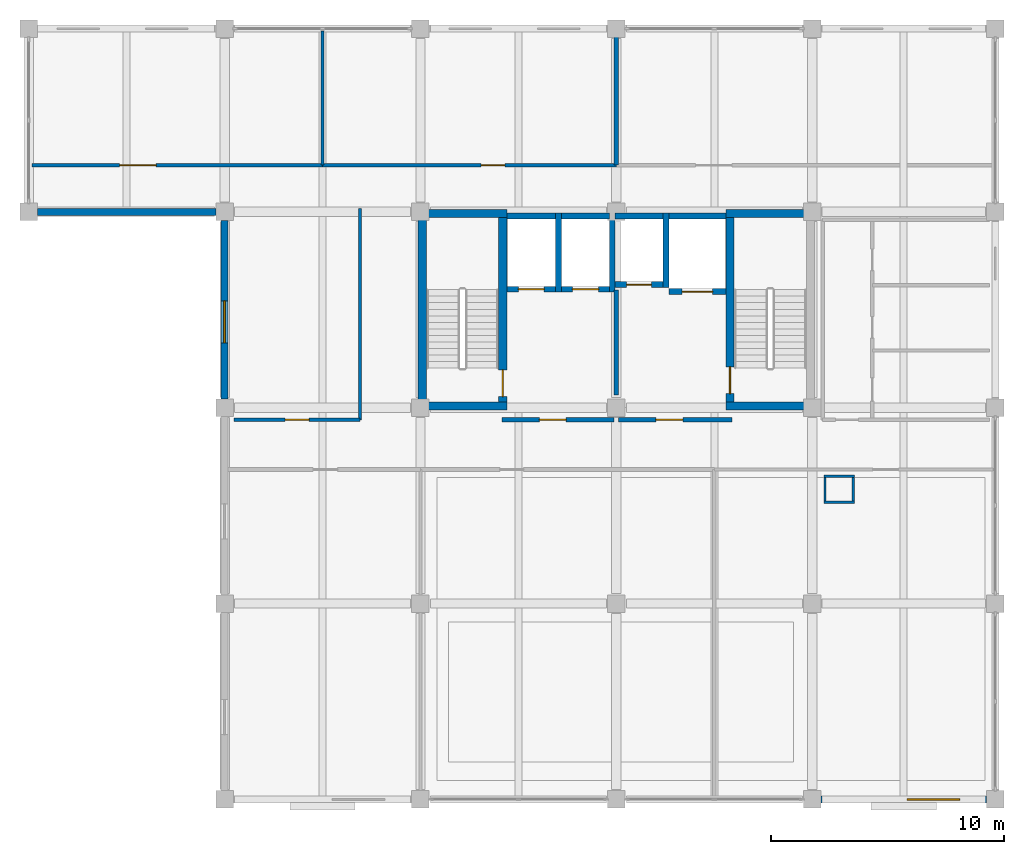
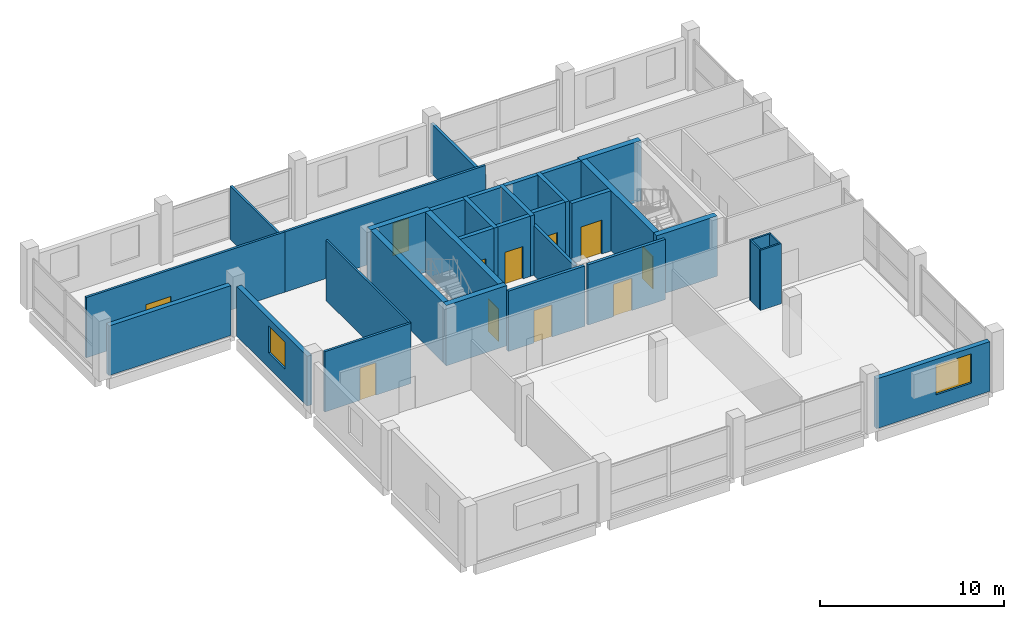
# One storey, part 7 of 9: 34 walls, 11 doors, 2 windows, 13 openings.
"""IFC4 building model written with IfcOpenShell, lengths in metres."""

from ifc_helpers import new_model, si_unit, direction, frame, frame_2d, origin, place, context, subcontext, project, spatial, rectangle, extrude, material, layer, layer_set, type_object, element, fill, save


model = new_model("IFC4")

# Units and contexts
model_context = context("Model", 3, precision=1e-05, world=origin(), true_north=direction((0.0, 1.0)))
body_context = subcontext(model_context, "Body", "Model", "MODEL_VIEW")
ifc_project = project(units=[si_unit("LENGTHUNIT", "METRE"), si_unit("AREAUNIT", "SQUARE_METRE"), si_unit("VOLUMEUNIT", "CUBIC_METRE"), si_unit("PLANEANGLEUNIT", "RADIAN"), si_unit("MASSUNIT", "GRAM", prefix="KILO")], contexts=[model_context])

# Site, building, storey
site_placement = place(None, origin())
site = spatial("IfcSite", under=ifc_project, at=site_placement, CompositionType="ELEMENT")
building_placement = place(site_placement, origin())
building = spatial("IfcBuilding", under=site, at=building_placement, Name="Brinegate Botanical Conservatory", CompositionType="ELEMENT")
storey_placement = place(building_placement, frame((0.0, 0.0, 40.199951171875)))
storey = spatial("IfcBuildingStorey", under=building, at=storey_placement, Name="L10", CompositionType="ELEMENT", Elevation=40.199951171875)

# Wall, opening, window
ifc_material_1 = material(Name="Insulated Minnan red clay brick masonry", Category="masonry")
ifc_layer_1 = layer(ifc_material_1, 0.300048828125, Name="Insulated Minnan red clay brick masonry", Category="masonry")
ifc_layer_set_1 = layer_set([ifc_layer_1], Name="Insulated Minnan red clay brick masonry")
wall_type_1 = type_object("IfcWallType", Name="Wall_EW-300B", PredefinedType="STANDARD", material=ifc_layer_set_1)
wall_1_placement = place(storey_placement, frame((163.074951171875, 78.39990234375, 0.0), z_axis=(0.0, 0.0, 1.0), x_axis=(-1.0, 0.0, 0.0)))
wall_1 = element("IfcWall", 1, at=wall_1_placement, inside=storey, type_object=wall_type_1, Name="Tower south facade wall L10.4", PredefinedType="STANDARD", context=body_context, shape_type="SweptSolid", body=[
    extrude(rectangle(XDim=7.099853515625, YDim=0.300048828125, at=frame_2d((3.5498046875, 0.0))), origin(), (0.0, 0.0, 1.0), 3.300048828125),
])
opening_1_placement = place(wall_1_placement, frame((1.14990234375, 0.0, 0.949951171875)))
opening_1 = element("IfcOpeningElement", 2, at=opening_1_placement, cuts=wall_1, Name="Opening WN-25", PredefinedType="OPENING", context=body_context, shape_type="SweptSolid", body=[
    extrude(rectangle(XDim=2.25, YDim=1.949951171875, at=frame_2d((1.125, 0.97509765625))), frame((0.0, 0.159912109375, 0.0), z_axis=(0.0, -1.0, 0.0), x_axis=(1.0, 0.0, 0.0)), (0.0, 0.0, 1.0), 0.320068359375),
])
ifc_material_2 = material(Name="Thermally broken aluminium-framed Low-E glass", Category="aluminium")
window_type_1 = type_object("IfcWindowType", Name="Win_WN-25", PartitioningType="TRIPLE_PANEL_VERTICAL", PredefinedType="WINDOW", material=ifc_material_2)
window_1_placement = place(opening_1_placement, origin())
window_1 = element("IfcWindow", 3, at=window_1_placement, inside=storey, type_object=window_type_1, Name="Tower south window L10.4", OverallHeight=1.949951171875, OverallWidth=2.25, PartitioningType="TRIPLE_PANEL_VERTICAL", PredefinedType="WINDOW", context=body_context, shape_type="SweptSolid", body=[
    extrude(rectangle(XDim=2.25, YDim=1.949951171875, at=frame_2d((1.125, 0.97509765625))), frame((0.0, 0.030029296875, 0.0), z_axis=(0.0, -1.0, 0.0), x_axis=(1.0, 0.0, 0.0)), (0.0, 0.0, 1.0), 0.06005859375),
])
fill(opening_1, window_1)

wall_2_placement = place(storey_placement, frame((130.39990234375, 95.574951171875, 0.0), z_axis=(0.0, 0.0, 1.0), x_axis=(0.0, 1.0, 0.0)))
wall_2 = element("IfcWall", 4, at=wall_2_placement, inside=storey, type_object=wall_type_1, Name="Tower mid-west wall L10", PredefinedType="STANDARD", context=body_context, shape_type="SweptSolid", body=[
    extrude(rectangle(XDim=7.650146484375, YDim=0.300048828125, at=frame_2d((3.8251953125, 0.0))), origin(), (0.0, 0.0, 1.0), 3.300048828125),
])
opening_2_placement = place(wall_2_placement, frame((2.39990234375, 0.0, 1.0)))
opening_2 = element("IfcOpeningElement", 5, at=opening_2_placement, cuts=wall_2, Name="Opening WN-05", PredefinedType="OPENING", context=body_context, shape_type="SweptSolid", body=[
    extrude(rectangle(XDim=1.800048828125, YDim=1.800048828125, at=frame_2d((0.89990234375, 0.89990234375))), frame((0.0, 0.159912109375, 0.0), z_axis=(0.0, -1.0, 0.0), x_axis=(1.0, 0.0, 0.0)), (0.0, 0.0, 1.0), 0.320068359375),
])
window_type_2 = type_object("IfcWindowType", Name="Win_WN-05", PartitioningType="DOUBLE_PANEL_VERTICAL", PredefinedType="WINDOW", material=ifc_material_2)
window_2_placement = place(opening_2_placement, origin())
window_2 = element("IfcWindow", 6, at=window_2_placement, inside=storey, type_object=window_type_2, Name="Tower mid-west window L10", OverallHeight=1.800048828125, OverallWidth=1.800048828125, PartitioningType="DOUBLE_PANEL_VERTICAL", PredefinedType="WINDOW", context=body_context, shape_type="SweptSolid", body=[
    extrude(rectangle(XDim=1.800048828125, YDim=1.800048828125, at=frame_2d((0.89990234375, 0.89990234375))), frame((0.0, 0.030029296875, 0.0), z_axis=(0.0, -1.0, 0.0), x_axis=(1.0, 0.0, 0.0)), (0.0, 0.0, 1.0), 0.06005859375),
])
fill(opening_2, window_2)

# Walls
wall_3_placement = place(storey_placement, frame((130.02490234375, 103.60009765625, 0.0), z_axis=(0.0, 0.0, 1.0), x_axis=(-1.0, 0.0, 0.0)))
element("IfcWall", 7, at=wall_3_placement, inside=storey, type_object=wall_type_1, Name="Tower west setback return wall L10", PredefinedType="STANDARD", context=body_context, shape_type="SweptSolid", body=[
    extrude(rectangle(XDim=7.64990234375, YDim=0.300048828125, at=frame_2d((3.824951171875, 0.0))), origin(), (0.0, 0.0, 1.0), 3.300048828125),
])
ifc_material_3 = material(Name="Gypsum-clad steel-stud fire-rated shaft partition", Category="steel")
ifc_layer_2 = layer(ifc_material_3, 0.10498046875, Name="Gypsum-clad steel-stud fire-rated shaft partition", Category="steel")
ifc_layer_set_2 = layer_set([ifc_layer_2], Name="Gypsum-clad steel-stud fire-rated shaft partition")
wall_type_2 = type_object("IfcWallType", Name="Wall_PW-105", PredefinedType="PARTITIONING", material=ifc_layer_set_2)
for number, where, z_axis, x_axis, name in (
    (8, (156.094970703125, 91.1474609375, 0.0), (0.0, 0.0, 1.0), (1.0, 0.0, 0.0), "Service riser shaft wall L10 S"),
    (9, (156.094970703125, 92.25244140625, 0.0), (0.0, 0.0, 1.0), (1.0, 0.0, 0.0), "Service riser shaft wall L10 N"),
):
    element("IfcWall", number, at=place(storey_placement, frame(where, z_axis=z_axis, x_axis=x_axis)), inside=storey, type_object=wall_type_2, Name=name, PredefinedType="PARTITIONING", context=body_context, shape_type="SweptSolid", body=[
        extrude(rectangle(XDim=1.31005859375, YDim=0.10498046875, at=frame_2d((0.655029296875, 0.0))), origin(), (0.0, 0.0, 1.0), 4.0),
    ])
for number, where, z_axis, x_axis, name in (
    (10, (156.1474609375, 91.199951171875, 0.0), (0.0, 0.0, 1.0), (0.0, 1.0, 0.0), "Service riser shaft wall L10 W"),
    (11, (157.3525390625, 91.199951171875, 0.0), (0.0, 0.0, 1.0), (0.0, 1.0, 0.0), "Service riser shaft wall L10 E"),
):
    element("IfcWall", number, at=place(storey_placement, frame(where, z_axis=z_axis, x_axis=x_axis)), inside=storey, type_object=wall_type_2, Name=name, PredefinedType="PARTITIONING", context=body_context, shape_type="SweptSolid", body=[
        extrude(rectangle(XDim=1.0, YDim=0.10498046875, at=frame_2d((0.5, 0.0))), origin(), (0.0, 0.0, 1.0), 4.0),
    ])
ifc_material_4 = material(Name="Gypsum-clad steel-stud partition", Category="steel")
ifc_layer_3 = layer(ifc_material_4, 0.1201171875, Name="Gypsum-clad steel-stud partition", Category="steel")
ifc_layer_set_3 = layer_set([ifc_layer_3], Name="Gypsum-clad steel-stud partition")
wall_type_3 = type_object("IfcWallType", Name="Wall_PW-120", PredefinedType="PARTITIONING", material=ifc_layer_set_3)
wall_4_placement = place(storey_placement, frame((136.199951171875, 94.679931640625, 0.0), z_axis=(0.0, 0.0, 1.0), x_axis=(0.0, 1.0, 0.0)))
element("IfcWall", 12, at=wall_4_placement, inside=storey, type_object=wall_type_3, Name="Interior partition P-L10-XCORR-W", PredefinedType="PARTITIONING", context=body_context, shape_type="SweptSolid", body=[
    extrude(rectangle(XDim=9.070068359375, YDim=0.1201171875, at=frame_2d((4.53515625, 0.0))), origin(), (0.0, 0.0, 1.0), 4.0),
])
ifc_layer_4 = layer(ifc_material_4, 0.135009765625, Name="Gypsum-clad steel-stud partition", Category="steel")
ifc_layer_set_4 = layer_set([ifc_layer_4], Name="Gypsum-clad steel-stud partition")
wall_type_4 = type_object("IfcWallType", Name="Wall_PW-135", PredefinedType="PARTITIONING", material=ifc_layer_set_4)
wall_5_placement = place(storey_placement, frame((134.60009765625, 105.60009765625, 0.0), z_axis=(0.0, 0.0, 1.0), x_axis=(0.0, 1.0, 0.0)))
element("IfcWall", 13, at=wall_5_placement, inside=storey, type_object=wall_type_4, Name="Interior partition P-L10-NDIV-N2", PredefinedType="PARTITIONING", context=body_context, shape_type="SweptSolid", body=[
    extrude(rectangle(XDim=5.75, YDim=0.135009765625, at=frame_2d((2.875, 0.0))), origin(), (0.0, 0.0, 1.0), 3.550048828125),
])

# Wall, opening, door
ifc_material_5 = material(Name="Gypsum-clad acoustic steel-stud partition", Category="steel")
ifc_layer_5 = layer(ifc_material_5, 0.14501953125, Name="Gypsum-clad acoustic steel-stud partition", Category="steel")
ifc_layer_set_5 = layer_set([ifc_layer_5], Name="Gypsum-clad acoustic steel-stud partition")
wall_type_5 = type_object("IfcWallType", Name="Wall_PW-150", PredefinedType="PARTITIONING", material=ifc_layer_set_5)
wall_6_placement = place(storey_placement, frame((130.800048828125, 94.679931640625, 0.0), z_axis=(0.0, 0.0, 1.0), x_axis=(1.0, 0.0, 0.0)))
wall_6 = element("IfcWall", 14, at=wall_6_placement, inside=storey, type_object=wall_type_5, Name="Interior partition P-L10-MIDW-S", PredefinedType="PARTITIONING", context=body_context, shape_type="SweptSolid", body=[
    extrude(rectangle(XDim=5.39990234375, YDim=0.14501953125, at=frame_2d((2.699951171875, 0.0))), origin(), (0.0, 0.0, 1.0), 4.0),
])
opening_3_placement = place(wall_6_placement, frame((2.199951171875, 0.0, 0.0)))
opening_3 = element("IfcOpeningElement", 15, at=opening_3_placement, cuts=wall_6, Name="Opening DR-02", PredefinedType="OPENING", context=body_context, shape_type="SweptSolid", body=[
    extrude(rectangle(XDim=1.02001953125, YDim=2.14990234375, at=frame_2d((0.510009765625, 1.074951171875))), frame((0.0, 0.08251953125, 0.0), z_axis=(0.0, -1.0, 0.0), x_axis=(1.0, 0.0, 0.0)), (0.0, 0.0, 1.0), 0.1650390625),
])
ifc_material_6 = material(Name="Phenolic-faced laboratory timber leaf", Category="wood")
door_type_1 = type_object("IfcDoorType", Name="Door_DR-02", OperationType="NOTDEFINED", PredefinedType="DOOR", material=ifc_material_6)
door_1_placement = place(opening_3_placement, origin())
door_1 = element("IfcDoor", 16, at=door_1_placement, inside=storey, type_object=door_type_1, Name="DR-P-L10-MIDW-S-1", OperationType="SINGLE_SWING_RIGHT", OverallHeight=2.14990234375, OverallWidth=1.02001953125, PredefinedType="DOOR", context=body_context, shape_type="SweptSolid", body=[
    extrude(rectangle(XDim=1.02001953125, YDim=2.14990234375, at=frame_2d((0.510009765625, 1.074951171875))), frame((0.0, 0.02490234375, 0.0), z_axis=(0.0, -1.0, 0.0), x_axis=(1.0, 0.0, 0.0)), (0.0, 0.0, 1.0), 0.050048828125),
])
fill(opening_3, door_1)

wall_7_placement = place(storey_placement, frame((122.14990234375, 105.60009765625, 0.0), z_axis=(0.0, 0.0, 1.0), x_axis=(1.0, 0.0, 0.0)))
wall_7 = element("IfcWall", 17, at=wall_7_placement, inside=storey, type_object=wall_type_5, Name="Interior partition P-L10-NB-N1", PredefinedType="PARTITIONING", context=body_context, shape_type="SweptSolid", body=[
    extrude(rectangle(XDim=12.4501953125, YDim=0.14501953125, at=frame_2d((6.22509765625, 0.0))), origin(), (0.0, 0.0, 1.0), 4.0),
])
opening_4_placement = place(wall_7_placement, frame((3.75, 0.0, 0.0)))
opening_4 = element("IfcOpeningElement", 18, at=opening_4_placement, cuts=wall_7, Name="Opening DR-10", PredefinedType="OPENING", context=body_context, shape_type="SweptSolid", body=[
    extrude(rectangle(XDim=1.56005859375, YDim=2.219970703125, at=frame_2d((0.780029296875, 1.10986328125))), frame((0.0, 0.08251953125, 0.0), z_axis=(0.0, -1.0, 0.0), x_axis=(1.0, 0.0, 0.0)), (0.0, 0.0, 1.0), 0.1650390625),
])
ifc_material_7 = material(Name="Powder-coated steel double lab door", Category="steel")
door_type_2 = type_object("IfcDoorType", Name="Door_DR-10", OperationType="NOTDEFINED", PredefinedType="DOOR", material=ifc_material_7)
door_2_placement = place(opening_4_placement, origin())
door_2 = element("IfcDoor", 19, at=door_2_placement, inside=storey, type_object=door_type_2, Name="DR-P-L10-NB-N1-1", OperationType="SINGLE_SWING_LEFT", OverallHeight=2.219970703125, OverallWidth=1.56005859375, PredefinedType="DOOR", context=body_context, shape_type="SweptSolid", body=[
    extrude(rectangle(XDim=1.56005859375, YDim=2.219970703125, at=frame_2d((0.780029296875, 1.10986328125))), frame((0.0, 0.02490234375, 0.0), z_axis=(0.0, -1.0, 0.0), x_axis=(1.0, 0.0, 0.0)), (0.0, 0.0, 1.0), 0.050048828125),
])
fill(opening_4, door_2)

wall_8_placement = place(storey_placement, frame((134.60009765625, 105.60009765625, 0.0), z_axis=(0.0, 0.0, 1.0), x_axis=(1.0, 0.0, 0.0)))
wall_8 = element("IfcWall", 20, at=wall_8_placement, inside=storey, type_object=wall_type_5, Name="Interior partition P-L10-NB-N2", PredefinedType="PARTITIONING", context=body_context, shape_type="SweptSolid", body=[
    extrude(rectangle(XDim=12.599853515625, YDim=0.14501953125, at=frame_2d((6.2998046875, 0.0))), origin(), (0.0, 0.0, 1.0), 4.0),
])
opening_5_placement = place(wall_8_placement, frame((6.800048828125, 0.0, 0.0)))
opening_5 = element("IfcOpeningElement", 21, at=opening_5_placement, cuts=wall_8, Name="Opening DR-02", PredefinedType="OPENING", context=body_context, shape_type="SweptSolid", body=[
    extrude(rectangle(XDim=1.02001953125, YDim=2.14990234375, at=frame_2d((0.510009765625, 1.074951171875))), frame((0.0, 0.08251953125, 0.0), z_axis=(0.0, -1.0, 0.0), x_axis=(1.0, 0.0, 0.0)), (0.0, 0.0, 1.0), 0.1650390625),
])
door_3_placement = place(opening_5_placement, origin())
door_3 = element("IfcDoor", 22, at=door_3_placement, inside=storey, type_object=door_type_1, Name="DR-P-L10-NB-N2-1", OperationType="SINGLE_SWING_RIGHT", OverallHeight=2.14990234375, OverallWidth=1.02001953125, PredefinedType="DOOR", context=body_context, shape_type="SweptSolid", body=[
    extrude(rectangle(XDim=1.02001953125, YDim=2.14990234375, at=frame_2d((0.510009765625, 1.074951171875))), frame((0.0, 0.02490234375, 0.0), z_axis=(0.0, -1.0, 0.0), x_axis=(1.0, 0.0, 0.0)), (0.0, 0.0, 1.0), 0.050048828125),
])
fill(opening_5, door_3)

ifc_material_8 = material(Name="Autoclaved aerated concrete C40/50 blockwork", Category="masonry")
ifc_layer_6 = layer(ifc_material_8, 0.179931640625, Name="Autoclaved aerated concrete C40/50 blockwork", Category="masonry")
ifc_layer_set_6 = layer_set([ifc_layer_6], Name="Autoclaved aerated concrete C40/50 blockwork")
wall_type_6 = type_object("IfcWallType", Name="Wall_PW-180F", PredefinedType="STANDARD", material=ifc_layer_set_6)
wall_9_placement = place(storey_placement, frame((142.300048828125, 94.679931640625, 0.0), z_axis=(0.0, 0.0, 1.0), x_axis=(1.0, 0.0, 0.0)))
wall_9 = element("IfcWall", 23, at=wall_9_placement, inside=storey, type_object=wall_type_6, Name="Interior partition P-L10-CORE-FF", PredefinedType="STANDARD", context=body_context, shape_type="SweptSolid", body=[
    extrude(rectangle(XDim=4.800048828125, YDim=0.179931640625, at=frame_2d((2.39990234375, 0.0))), origin(), (0.0, 0.0, 1.0), 4.0),
])
opening_6_placement = place(wall_9_placement, frame((1.60009765625, 0.0, 0.0)))
opening_6 = element("IfcOpeningElement", 24, at=opening_6_placement, cuts=wall_9, Name="Opening FD-B1", PredefinedType="OPENING", context=body_context, shape_type="SweptSolid", body=[
    extrude(rectangle(XDim=1.14990234375, YDim=2.14990234375, at=frame_2d((0.574951171875, 1.074951171875))), frame((0.0, 0.099853515625, 0.0), z_axis=(0.0, -1.0, 0.0), x_axis=(1.0, 0.0, 0.0)), (0.0, 0.0, 1.0), 0.199951171875),
])
ifc_material_9 = material(Name="Steel smoke-proof fire door assembly", Category="steel")
door_type_3 = type_object("IfcDoorType", Name="Door_FD-B1", OperationType="NOTDEFINED", PredefinedType="DOOR", material=ifc_material_9)
door_4_placement = place(opening_6_placement, origin())
door_4 = element("IfcDoor", 25, at=door_4_placement, inside=storey, type_object=door_type_3, Name="DR-P-L10-CORE-FF-1", OperationType="SINGLE_SWING_LEFT", OverallHeight=2.14990234375, OverallWidth=1.14990234375, PredefinedType="DOOR", context=body_context, shape_type="SweptSolid", body=[
    extrude(rectangle(XDim=1.14990234375, YDim=2.14990234375, at=frame_2d((0.574951171875, 1.074951171875))), frame((0.0, 0.02490234375, 0.0), z_axis=(0.0, -1.0, 0.0), x_axis=(1.0, 0.0, 0.0)), (0.0, 0.0, 1.0), 0.050048828125),
])
fill(opening_6, door_4)

wall_10_placement = place(storey_placement, frame((147.300048828125, 94.679931640625, 0.0), z_axis=(0.0, 0.0, 1.0), x_axis=(1.0, 0.0, 0.0)))
wall_10 = element("IfcWall", 26, at=wall_10_placement, inside=storey, type_object=wall_type_6, Name="Interior partition P-L10-CORE-PAX", PredefinedType="STANDARD", context=body_context, shape_type="SweptSolid", body=[
    extrude(rectangle(XDim=4.849853515625, YDim=0.179931640625, at=frame_2d((2.4248046875, 0.0))), origin(), (0.0, 0.0, 1.0), 4.0),
])
opening_7_placement = place(wall_10_placement, frame((1.60009765625, 0.0, 0.0)))
opening_7 = element("IfcOpeningElement", 27, at=opening_7_placement, cuts=wall_10, Name="Opening FD-B1", PredefinedType="OPENING", context=body_context, shape_type="SweptSolid", body=[
    extrude(rectangle(XDim=1.14990234375, YDim=2.14990234375, at=frame_2d((0.574951171875, 1.074951171875))), frame((0.0, 0.099853515625, 0.0), z_axis=(0.0, -1.0, 0.0), x_axis=(1.0, 0.0, 0.0)), (0.0, 0.0, 1.0), 0.199951171875),
])
door_5_placement = place(opening_7_placement, origin())
door_5 = element("IfcDoor", 28, at=door_5_placement, inside=storey, type_object=door_type_3, Name="DR-P-L10-CORE-PAX-1", OperationType="SINGLE_SWING_RIGHT", OverallHeight=2.14990234375, OverallWidth=1.14990234375, PredefinedType="DOOR", context=body_context, shape_type="SweptSolid", body=[
    extrude(rectangle(XDim=1.14990234375, YDim=2.14990234375, at=frame_2d((0.574951171875, 1.074951171875))), frame((0.0, 0.02490234375, 0.0), z_axis=(0.0, -1.0, 0.0), x_axis=(1.0, 0.0, 0.0)), (0.0, 0.0, 1.0), 0.050048828125),
])
fill(opening_7, door_5)

# Walls
wall_11_placement = place(storey_placement, frame((147.199951171875, 95.75, 0.0), z_axis=(0.0, 0.0, 1.0), x_axis=(0.0, 1.0, 0.0)))
element("IfcWall", 29, at=wall_11_placement, inside=storey, type_object=wall_type_6, Name="Interior partition P-L10-CORE-DIV", PredefinedType="STANDARD", context=body_context, shape_type="SweptSolid", body=[
    extrude(rectangle(XDim=4.5, YDim=0.179931640625, at=frame_2d((2.25, 0.0))), origin(), (0.0, 0.0, 1.0), 3.300048828125),
])
wall_12_placement = place(storey_placement, frame((147.199951171875, 105.60009765625, 0.0), z_axis=(0.0, 0.0, 1.0), x_axis=(0.0, 1.0, 0.0)))
element("IfcWall", 30, at=wall_12_placement, inside=storey, type_object=wall_type_6, Name="Interior partition P-L10-NDIV-N3", PredefinedType="STANDARD", context=body_context, shape_type="SweptSolid", body=[
    extrude(rectangle(XDim=5.75, YDim=0.179931640625, at=frame_2d((2.875, 0.0))), origin(), (0.0, 0.0, 1.0), 3.300048828125),
])

# Wall, opening, door
ifc_material_10 = material(Name="Concrete C40/50", Category="concrete")
ifc_layer_7 = layer(ifc_material_10, 0.25, Name="Concrete C40/50", Category="concrete")
ifc_layer_set_7 = layer_set([ifc_layer_7], Name="Concrete C40/50")
wall_type_7 = type_object("IfcWallType", Name="Wall_SW-250", PredefinedType="SHEAR", material=ifc_layer_set_7)
wall_13_placement = place(storey_placement, frame((142.5, 100.27490234375, 0.0), z_axis=(0.0, 0.0, 1.0), x_axis=(1.0, 0.0, 0.0)))
wall_13 = element("IfcWall", 31, at=wall_13_placement, inside=storey, type_object=wall_type_7, Name="Lift shaft LF1 shear wall L10 S", PredefinedType="SHEAR", context=body_context, shape_type="SweptSolid", body=[
    extrude(rectangle(XDim=2.10009765625, YDim=0.25, at=frame_2d((1.050048828125, 0.0))), origin(), (0.0, 0.0, 1.0), 4.0),
])
opening_8_placement = place(wall_13_placement, frame((0.5, 0.0, 0.0)))
opening_8 = element("IfcOpeningElement", 32, at=opening_8_placement, cuts=wall_13, Name="Opening LD-01", PredefinedType="OPENING", context=body_context, shape_type="SweptSolid", body=[
    extrude(rectangle(XDim=1.10009765625, YDim=2.14990234375, at=frame_2d((0.550048828125, 1.074951171875))), frame((0.0, 0.135009765625, 0.0), z_axis=(0.0, -1.0, 0.0), x_axis=(1.0, 0.0, 0.0)), (0.0, 0.0, 1.0), 0.27001953125),
])
ifc_material_11 = material(Name="Brushed stainless steel S355 landing door", Category="steel")
door_type_4 = type_object("IfcDoorType", Name="Door_LD-01", OperationType="SLIDING_TO_LEFT", PredefinedType="DOOR", material=ifc_material_11)
door_6_placement = place(opening_8_placement, origin())
door_6 = element("IfcDoor", 33, at=door_6_placement, inside=storey, type_object=door_type_4, Name="LD-LF1-L10", OperationType="SLIDING_TO_LEFT", OverallHeight=2.14990234375, OverallWidth=1.10009765625, PredefinedType="DOOR", context=body_context, shape_type="SweptSolid", body=[
    extrude(rectangle(XDim=1.10009765625, YDim=2.14990234375, at=frame_2d((0.550048828125, 1.074951171875))), frame((0.0, 0.02490234375, 0.0), z_axis=(0.0, -1.0, 0.0), x_axis=(1.0, 0.0, 0.0)), (0.0, 0.0, 1.0), 0.050048828125),
])
fill(opening_8, door_6)

# Walls
wall_14_placement = place(storey_placement, frame((142.5, 103.425048828125, 0.0), z_axis=(0.0, 0.0, 1.0), x_axis=(1.0, 0.0, 0.0)))
element("IfcWall", 34, at=wall_14_placement, inside=storey, type_object=wall_type_7, Name="Lift shaft LF1 shear wall L10 N", PredefinedType="SHEAR", context=body_context, shape_type="SweptSolid", body=[
    extrude(rectangle(XDim=2.10009765625, YDim=0.25, at=frame_2d((1.050048828125, 0.0))), origin(), (0.0, 0.0, 1.0), 4.0),
])
wall_15_placement = place(storey_placement, frame((144.72509765625, 100.14990234375, 0.0), z_axis=(0.0, 0.0, 1.0), x_axis=(0.0, 1.0, 0.0)))
element("IfcWall", 35, at=wall_15_placement, inside=storey, type_object=wall_type_7, Name="Lift shaft LF1 shear wall L10 E", PredefinedType="SHEAR", context=body_context, shape_type="SweptSolid", body=[
    extrude(rectangle(XDim=3.400146484375, YDim=0.25, at=frame_2d((1.7001953125, 0.0))), origin(), (0.0, 0.0, 1.0), 4.0),
])

# Wall, opening, door
wall_16_placement = place(storey_placement, frame((144.85009765625, 100.27490234375, 0.0), z_axis=(0.0, 0.0, 1.0), x_axis=(1.0, 0.0, 0.0)))
wall_16 = element("IfcWall", 36, at=wall_16_placement, inside=storey, type_object=wall_type_7, Name="Lift shaft LF2 shear wall L10 S", PredefinedType="SHEAR", context=body_context, shape_type="SweptSolid", body=[
    extrude(rectangle(XDim=2.0498046875, YDim=0.25, at=frame_2d((1.02490234375, 0.0))), origin(), (0.0, 0.0, 1.0), 4.0),
])
opening_9_placement = place(wall_16_placement, frame((0.465087890625, 0.0, 0.0)))
opening_9 = element("IfcOpeningElement", 37, at=opening_9_placement, cuts=wall_16, Name="Opening LD-02", PredefinedType="OPENING", context=body_context, shape_type="SweptSolid", body=[
    extrude(rectangle(XDim=1.1201171875, YDim=2.14990234375, at=frame_2d((0.56005859375, 1.074951171875))), frame((0.0, 0.135009765625, 0.0), z_axis=(0.0, -1.0, 0.0), x_axis=(1.0, 0.0, 0.0)), (0.0, 0.0, 1.0), 0.27001953125),
])
door_type_5 = type_object("IfcDoorType", Name="Door_LD-02", OperationType="SLIDING_TO_LEFT", PredefinedType="DOOR", material=ifc_material_11)
door_7_placement = place(opening_9_placement, origin())
door_7 = element("IfcDoor", 38, at=door_7_placement, inside=storey, type_object=door_type_5, Name="LD-LF2-L10", OperationType="SLIDING_TO_LEFT", OverallHeight=2.14990234375, OverallWidth=1.1201171875, PredefinedType="DOOR", context=body_context, shape_type="SweptSolid", body=[
    extrude(rectangle(XDim=1.1201171875, YDim=2.14990234375, at=frame_2d((0.56005859375, 1.074951171875))), frame((0.0, 0.02490234375, 0.0), z_axis=(0.0, -1.0, 0.0), x_axis=(1.0, 0.0, 0.0)), (0.0, 0.0, 1.0), 0.050048828125),
])
fill(opening_9, door_7)

# Walls
wall_17_placement = place(storey_placement, frame((144.85009765625, 103.425048828125, 0.0), z_axis=(0.0, 0.0, 1.0), x_axis=(1.0, 0.0, 0.0)))
element("IfcWall", 39, at=wall_17_placement, inside=storey, type_object=wall_type_7, Name="Lift shaft LF2 shear wall L10 N", PredefinedType="SHEAR", context=body_context, shape_type="SweptSolid", body=[
    extrude(rectangle(XDim=2.0498046875, YDim=0.25, at=frame_2d((1.02490234375, 0.0))), origin(), (0.0, 0.0, 1.0), 4.0),
])
wall_18_placement = place(storey_placement, frame((147.02490234375, 100.14990234375, 0.0), z_axis=(0.0, 0.0, 1.0), x_axis=(0.0, 1.0, 0.0)))
element("IfcWall", 40, at=wall_18_placement, inside=storey, type_object=wall_type_7, Name="Lift shaft LF2 shear wall L10 E", PredefinedType="SHEAR", context=body_context, shape_type="SweptSolid", body=[
    extrude(rectangle(XDim=3.400146484375, YDim=0.25, at=frame_2d((1.7001953125, 0.0))), origin(), (0.0, 0.0, 1.0), 4.0),
])

# Wall, opening, door
wall_19_placement = place(storey_placement, frame((147.14990234375, 100.47509765625, 0.0), z_axis=(0.0, 0.0, 1.0), x_axis=(1.0, 0.0, 0.0)))
wall_19 = element("IfcWall", 41, at=wall_19_placement, inside=storey, type_object=wall_type_7, Name="Lift shaft LF3 shear wall L10 S", PredefinedType="SHEAR", context=body_context, shape_type="SweptSolid", body=[
    extrude(rectangle(XDim=2.050048828125, YDim=0.25, at=frame_2d((1.02490234375, 0.0))), origin(), (0.0, 0.0, 1.0), 4.0),
])
opening_10_placement = place(wall_19_placement, frame((0.4951171875, 0.0, 0.0)))
opening_10 = element("IfcOpeningElement", 42, at=opening_10_placement, cuts=wall_19, Name="Opening LD-03", PredefinedType="OPENING", context=body_context, shape_type="SweptSolid", body=[
    extrude(rectangle(XDim=1.06005859375, YDim=2.14990234375, at=frame_2d((0.530029296875, 1.074951171875))), frame((0.0, 0.135009765625, 0.0), z_axis=(0.0, -1.0, 0.0), x_axis=(1.0, 0.0, 0.0)), (0.0, 0.0, 1.0), 0.27001953125),
])
door_type_6 = type_object("IfcDoorType", Name="Door_LD-03", OperationType="SLIDING_TO_LEFT", PredefinedType="DOOR", material=ifc_material_11)
door_8_placement = place(opening_10_placement, origin())
door_8 = element("IfcDoor", 43, at=door_8_placement, inside=storey, type_object=door_type_6, Name="LD-LF3-L10", OperationType="SLIDING_TO_LEFT", OverallHeight=2.14990234375, OverallWidth=1.06005859375, PredefinedType="DOOR", context=body_context, shape_type="SweptSolid", body=[
    extrude(rectangle(XDim=1.06005859375, YDim=2.14990234375, at=frame_2d((0.530029296875, 1.074951171875))), frame((0.0, 0.02490234375, 0.0), z_axis=(0.0, -1.0, 0.0), x_axis=(1.0, 0.0, 0.0)), (0.0, 0.0, 1.0), 0.050048828125),
])
fill(opening_10, door_8)

# Walls
wall_20_placement = place(storey_placement, frame((147.14990234375, 103.425048828125, 0.0), z_axis=(0.0, 0.0, 1.0), x_axis=(1.0, 0.0, 0.0)))
element("IfcWall", 44, at=wall_20_placement, inside=storey, type_object=wall_type_7, Name="Lift shaft LF3 shear wall L10 N", PredefinedType="SHEAR", context=body_context, shape_type="SweptSolid", body=[
    extrude(rectangle(XDim=2.050048828125, YDim=0.25, at=frame_2d((1.02490234375, 0.0))), origin(), (0.0, 0.0, 1.0), 4.0),
])
wall_21_placement = place(storey_placement, frame((149.324951171875, 100.35009765625, 0.0), z_axis=(0.0, 0.0, 1.0), x_axis=(0.0, 1.0, 0.0)))
element("IfcWall", 45, at=wall_21_placement, inside=storey, type_object=wall_type_7, Name="Lift shaft LF3 shear wall L10 E", PredefinedType="SHEAR", context=body_context, shape_type="SweptSolid", body=[
    extrude(rectangle(XDim=3.199951171875, YDim=0.25, at=frame_2d((1.60009765625, 0.0))), origin(), (0.0, 0.0, 1.0), 4.0),
])

# Wall, opening, door
wall_22_placement = place(storey_placement, frame((149.449951171875, 100.175048828125, 0.0), z_axis=(0.0, 0.0, 1.0), x_axis=(1.0, 0.0, 0.0)))
wall_22 = element("IfcWall", 46, at=wall_22_placement, inside=storey, type_object=wall_type_7, Name="Lift shaft LF4 shear wall L10 S", PredefinedType="SHEAR", context=body_context, shape_type="SweptSolid", body=[
    extrude(rectangle(XDim=2.449951171875, YDim=0.25, at=frame_2d((1.22509765625, 0.0))), origin(), (0.0, 0.0, 1.0), 4.0),
])
opening_11_placement = place(wall_22_placement, frame((0.574951171875, 0.0, 0.0)))
opening_11 = element("IfcOpeningElement", 47, at=opening_11_placement, cuts=wall_22, Name="Opening LD-04", PredefinedType="OPENING", context=body_context, shape_type="SweptSolid", body=[
    extrude(rectangle(XDim=1.300048828125, YDim=2.25, at=frame_2d((0.64990234375, 1.125))), frame((0.0, 0.135009765625, 0.0), z_axis=(0.0, -1.0, 0.0), x_axis=(1.0, 0.0, 0.0)), (0.0, 0.0, 1.0), 0.27001953125),
])
door_type_7 = type_object("IfcDoorType", Name="Door_LD-04", OperationType="SLIDING_TO_LEFT", PredefinedType="DOOR", material=ifc_material_11)
door_9_placement = place(opening_11_placement, origin())
door_9 = element("IfcDoor", 48, at=door_9_placement, inside=storey, type_object=door_type_7, Name="LD-LF4-L10", OperationType="SLIDING_TO_LEFT", OverallHeight=2.25, OverallWidth=1.300048828125, PredefinedType="DOOR", context=body_context, shape_type="SweptSolid", body=[
    extrude(rectangle(XDim=1.300048828125, YDim=2.25, at=frame_2d((0.64990234375, 1.125))), frame((0.0, 0.02490234375, 0.0), z_axis=(0.0, -1.0, 0.0), x_axis=(1.0, 0.0, 0.0)), (0.0, 0.0, 1.0), 0.050048828125),
])
fill(opening_11, door_9)

# Walls
wall_23_placement = place(storey_placement, frame((149.449951171875, 103.425048828125, 0.0), z_axis=(0.0, 0.0, 1.0), x_axis=(1.0, 0.0, 0.0)))
element("IfcWall", 49, at=wall_23_placement, inside=storey, type_object=wall_type_7, Name="Lift shaft LF4 shear wall L10 N", PredefinedType="SHEAR", context=body_context, shape_type="SweptSolid", body=[
    extrude(rectangle(XDim=2.449951171875, YDim=0.25, at=frame_2d((1.22509765625, 0.0))), origin(), (0.0, 0.0, 1.0), 4.0),
])
ifc_layer_8 = layer(ifc_material_10, 0.35009765625, Name="Concrete C40/50", Category="concrete")
ifc_layer_set_8 = layer_set([ifc_layer_8], Name="Concrete C40/50")
wall_type_8 = type_object("IfcWallType", Name="Wall_SW-350", PredefinedType="SHEAR", material=ifc_layer_set_8)
for number, where, z_axis, x_axis, name in (
    (50, (138.699951171875, 95.27490234375, 0.0), (0.0, 0.0, 1.0), (1.0, 0.0, 0.0), "Stairwell ST1 shear wall L10 S"),
    (51, (138.699951171875, 103.52490234375, 0.0), (0.0, 0.0, 1.0), (1.0, 0.0, 0.0), "Stairwell ST1 shear wall L10 N"),
):
    element("IfcWall", number, at=place(storey_placement, frame(where, z_axis=z_axis, x_axis=x_axis)), inside=storey, type_object=wall_type_8, Name=name, PredefinedType="SHEAR", context=body_context, shape_type="SweptSolid", body=[
        extrude(rectangle(XDim=3.800048828125, YDim=0.35009765625, at=frame_2d((1.89990234375, 0.0))), origin(), (0.0, 0.0, 1.0), 4.0),
    ])
wall_24_placement = place(storey_placement, frame((138.875, 95.449951171875, 0.0), z_axis=(0.0, 0.0, 1.0), x_axis=(0.0, 1.0, 0.0)))
element("IfcWall", 52, at=wall_24_placement, inside=storey, type_object=wall_type_8, Name="Stairwell ST1 shear wall L10 W", PredefinedType="SHEAR", context=body_context, shape_type="SweptSolid", body=[
    extrude(rectangle(XDim=7.900146484375, YDim=0.35009765625, at=frame_2d((3.9501953125, 0.0))), origin(), (0.0, 0.0, 1.0), 4.0),
])

# Wall, opening, door
wall_25_placement = place(storey_placement, frame((142.324951171875, 95.449951171875, 0.0), z_axis=(0.0, 0.0, 1.0), x_axis=(0.0, 1.0, 0.0)))
wall_25 = element("IfcWall", 53, at=wall_25_placement, inside=storey, type_object=wall_type_8, Name="Stairwell ST1 shear wall L10 E", PredefinedType="SHEAR", context=body_context, shape_type="SweptSolid", body=[
    extrude(rectangle(XDim=7.900146484375, YDim=0.35009765625, at=frame_2d((3.9501953125, 0.0))), origin(), (0.0, 0.0, 1.0), 4.0),
])
opening_12_placement = place(wall_25_placement, frame((0.219970703125, 0.0, 0.0)))
opening_12 = element("IfcOpeningElement", 54, at=opening_12_placement, cuts=wall_25, Name="Opening FD-B1", PredefinedType="OPENING", context=body_context, shape_type="SweptSolid", body=[
    extrude(rectangle(XDim=1.14990234375, YDim=2.14990234375, at=frame_2d((0.574951171875, 1.074951171875))), frame((0.0, 0.18505859375, 0.0), z_axis=(0.0, -1.0, 0.0), x_axis=(1.0, 0.0, 0.0)), (0.0, 0.0, 1.0), 0.3701171875),
])
door_10_placement = place(opening_12_placement, origin())
door_10 = element("IfcDoor", 55, at=door_10_placement, inside=storey, type_object=door_type_3, Name="DR-ST-ST1-L10", OperationType="SINGLE_SWING_RIGHT", OverallHeight=2.14990234375, OverallWidth=1.14990234375, PredefinedType="DOOR", context=body_context, shape_type="SweptSolid", body=[
    extrude(rectangle(XDim=1.14990234375, YDim=2.14990234375, at=frame_2d((0.574951171875, 1.074951171875))), frame((0.0, 0.02490234375, 0.0), z_axis=(0.0, -1.0, 0.0), x_axis=(1.0, 0.0, 0.0)), (0.0, 0.0, 1.0), 0.050048828125),
])
fill(opening_12, door_10)

# Walls
for number, where, z_axis, x_axis, name in (
    (56, (151.89990234375, 95.27490234375, 0.0), (0.0, 0.0, 1.0), (1.0, 0.0, 0.0), "Stairwell ST2 shear wall L10 S"),
    (57, (151.89990234375, 103.52490234375, 0.0), (0.0, 0.0, 1.0), (1.0, 0.0, 0.0), "Stairwell ST2 shear wall L10 N"),
):
    element("IfcWall", number, at=place(storey_placement, frame(where, z_axis=z_axis, x_axis=x_axis)), inside=storey, type_object=wall_type_8, Name=name, PredefinedType="SHEAR", context=body_context, shape_type="SweptSolid", body=[
        extrude(rectangle(XDim=3.800048828125, YDim=0.35009765625, at=frame_2d((1.89990234375, 0.0))), origin(), (0.0, 0.0, 1.0), 4.0),
    ])

# Wall, opening, door
wall_26_placement = place(storey_placement, frame((152.074951171875, 95.449951171875, 0.0), z_axis=(0.0, 0.0, 1.0), x_axis=(0.0, 1.0, 0.0)))
wall_26 = element("IfcWall", 58, at=wall_26_placement, inside=storey, type_object=wall_type_8, Name="Stairwell ST2 shear wall L10 W", PredefinedType="SHEAR", context=body_context, shape_type="SweptSolid", body=[
    extrude(rectangle(XDim=7.900146484375, YDim=0.35009765625, at=frame_2d((3.9501953125, 0.0))), origin(), (0.0, 0.0, 1.0), 4.0),
])
opening_13_placement = place(wall_26_placement, frame((0.35009765625, 0.0, 0.0)))
opening_13 = element("IfcOpeningElement", 59, at=opening_13_placement, cuts=wall_26, Name="Opening FD-B1", PredefinedType="OPENING", context=body_context, shape_type="SweptSolid", body=[
    extrude(rectangle(XDim=1.14990234375, YDim=2.14990234375, at=frame_2d((0.574951171875, 1.074951171875))), frame((0.0, 0.18505859375, 0.0), z_axis=(0.0, -1.0, 0.0), x_axis=(1.0, 0.0, 0.0)), (0.0, 0.0, 1.0), 0.3701171875),
])
door_11_placement = place(opening_13_placement, origin())
door_11 = element("IfcDoor", 60, at=door_11_placement, inside=storey, type_object=door_type_3, Name="DR-ST-ST2-L10", OperationType="SINGLE_SWING_RIGHT", OverallHeight=2.14990234375, OverallWidth=1.14990234375, PredefinedType="DOOR", context=body_context, shape_type="SweptSolid", body=[
    extrude(rectangle(XDim=1.14990234375, YDim=2.14990234375, at=frame_2d((0.574951171875, 1.074951171875))), frame((0.0, 0.02490234375, 0.0), z_axis=(0.0, -1.0, 0.0), x_axis=(1.0, 0.0, 0.0)), (0.0, 0.0, 1.0), 0.050048828125),
])
fill(opening_13, door_11)

save(model, "model.ifc")
